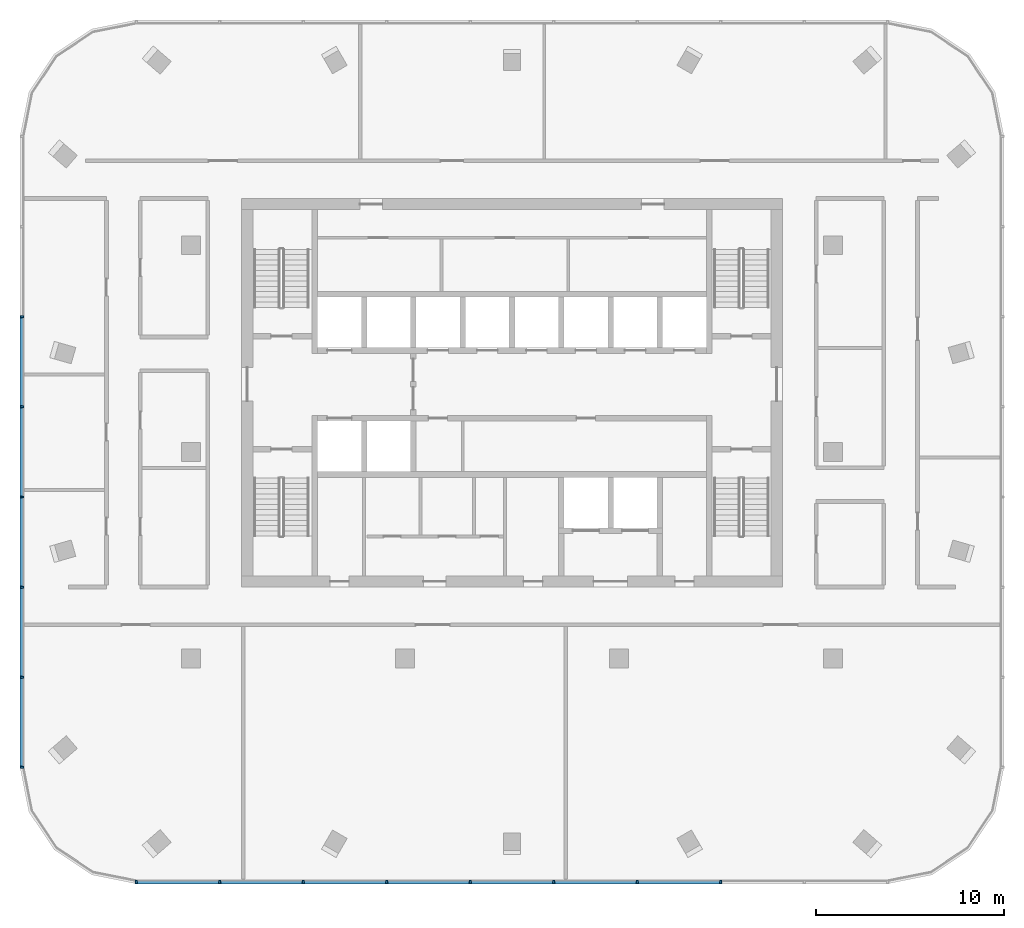
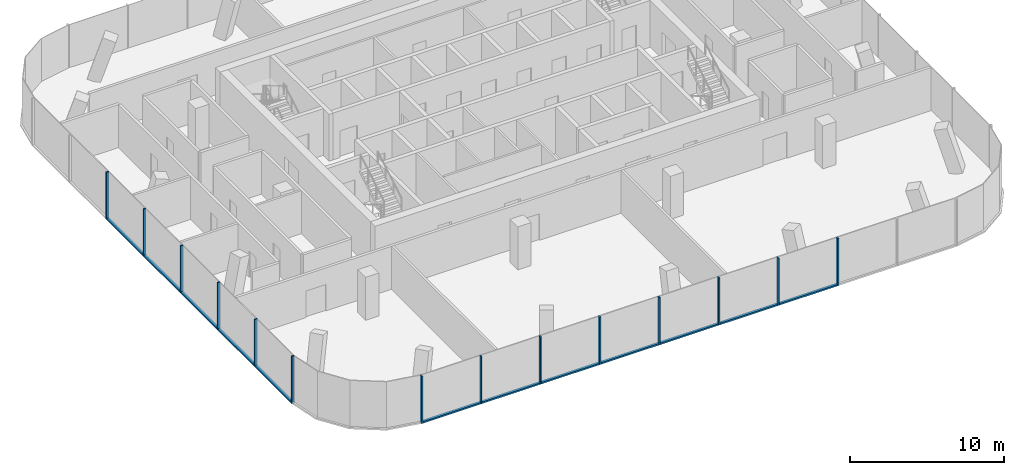
# One storey, part 2 of 11: 26 members, 2 elements without a shape of their own.
"""IFC4 building model written with IfcOpenShell, lengths in metres."""

from ifc_helpers import new_model, si_unit, direction, frame, origin, origin_2d, place, context, subcontext, project, spatial, rectangle, extrude, material, material_profile, profile_set, type_object, element, aggregate, save


model = new_model("IFC4")

# Units and contexts
model_context = context("Model", 3, precision=1e-05, world=origin(), true_north=direction((0.0, 1.0)))
body_context = subcontext(model_context, "Body", "Model", "MODEL_VIEW")
ifc_project = project(units=[si_unit("LENGTHUNIT", "METRE"), si_unit("AREAUNIT", "SQUARE_METRE"), si_unit("VOLUMEUNIT", "CUBIC_METRE"), si_unit("PLANEANGLEUNIT", "RADIAN"), si_unit("MASSUNIT", "GRAM", prefix="KILO")], contexts=[model_context])

# Site, building, storey
site_placement = place(None, origin())
site = spatial("IfcSite", under=ifc_project, at=site_placement, CompositionType="ELEMENT")
building_placement = place(site_placement, origin())
building = spatial("IfcBuilding", under=site, at=building_placement, Name="Mopane Tessera Tower", CompositionType="ELEMENT")
storey_placement = place(building_placement, frame((0.0, 0.0, 333.39990234375)))
storey = spatial("IfcBuildingStorey", under=building, at=storey_placement, Name="L73", CompositionType="ELEMENT", Elevation=333.39990234375)

# Curtain wall, members
ifc_material_1 = material(Name="Aluminium frame", Category="aluminium")
curtain_wall_type = type_object("IfcCurtainWallType", Name="Unitised curtain wall", PredefinedType="NOTDEFINED", material=ifc_material_1)
curtain_wall_1_placement = place(storey_placement, origin())
curtain_wall_1 = element("IfcCurtainWall", 1, at=curtain_wall_1_placement, inside=storey, type_object=curtain_wall_type, Name="e:cw:L73:S:0", PredefinedType="NOTDEFINED")
ifc_material_2 = material(Name="Aluminium frame", Category="aluminium")
ifc_material_profile_1 = material_profile(ifc_material_2, rectangle(XDim=0.10009765625, YDim=0.199951171875, at=origin_2d()))
ifc_profile_set_1 = profile_set([ifc_material_profile_1], Name="Aluminium frame")
member_type_1 = type_object("IfcMemberType", Name="Aluminium mullion 100 x 200", PredefinedType="MULLION", material=ifc_profile_set_1)
member_1_placement = place(storey_placement, frame((-20.0, -22.89990234375, -0.349853515625), z_axis=(0.0, 0.0, 1.0), x_axis=(1.0, 0.0, 0.0)))
member_1 = element("IfcMember", 2, at=member_1_placement, type_object=member_type_1, Name="e:cw:L73:S:0:mu0", PredefinedType="MULLION", context=body_context, shape_type="SweptSolid", body=[
    extrude(rectangle(XDim=0.10009765625, YDim=0.199951171875, at=origin_2d()), origin(), (0.0, 0.0, 1.0), 3.75),
])
member_2_placement = place(storey_placement, frame((-15.5556640625, -22.89990234375, -0.349853515625), z_axis=(0.0, 0.0, 1.0), x_axis=(1.0, 0.0, 0.0)))
member_2 = element("IfcMember", 3, at=member_2_placement, type_object=member_type_1, Name="e:cw:L73:S:0:mu1", PredefinedType="MULLION", context=body_context, shape_type="SweptSolid", body=[
    extrude(rectangle(XDim=0.10009765625, YDim=0.199951171875, at=origin_2d()), origin(), (0.0, 0.0, 1.0), 3.75),
])
member_3_placement = place(storey_placement, frame((-11.111083984375, -22.89990234375, -0.349853515625), z_axis=(0.0, 0.0, 1.0), x_axis=(1.0, 0.0, 0.0)))
member_3 = element("IfcMember", 4, at=member_3_placement, type_object=member_type_1, Name="e:cw:L73:S:0:mu2", PredefinedType="MULLION", context=body_context, shape_type="SweptSolid", body=[
    extrude(rectangle(XDim=0.10009765625, YDim=0.199951171875, at=origin_2d()), origin(), (0.0, 0.0, 1.0), 3.75),
])
member_4_placement = place(storey_placement, frame((-6.666748046875, -22.89990234375, -0.349853515625), z_axis=(0.0, 0.0, 1.0), x_axis=(1.0, 0.0, 0.0)))
member_4 = element("IfcMember", 5, at=member_4_placement, type_object=member_type_1, Name="e:cw:L73:S:0:mu3", PredefinedType="MULLION", context=body_context, shape_type="SweptSolid", body=[
    extrude(rectangle(XDim=0.10009765625, YDim=0.199951171875, at=origin_2d()), origin(), (0.0, 0.0, 1.0), 3.75),
])
member_5_placement = place(storey_placement, frame((-2.22216796875, -22.89990234375, -0.349853515625), z_axis=(0.0, 0.0, 1.0), x_axis=(1.0, 0.0, 0.0)))
member_5 = element("IfcMember", 6, at=member_5_placement, type_object=member_type_1, Name="e:cw:L73:S:0:mu4", PredefinedType="MULLION", context=body_context, shape_type="SweptSolid", body=[
    extrude(rectangle(XDim=0.10009765625, YDim=0.199951171875, at=origin_2d()), origin(), (0.0, 0.0, 1.0), 3.75),
])
member_6_placement = place(storey_placement, frame((2.22216796875, -22.89990234375, -0.349853515625), z_axis=(0.0, 0.0, 1.0), x_axis=(1.0, 0.0, 0.0)))
member_6 = element("IfcMember", 7, at=member_6_placement, type_object=member_type_1, Name="e:cw:L73:S:0:mu5", PredefinedType="MULLION", context=body_context, shape_type="SweptSolid", body=[
    extrude(rectangle(XDim=0.10009765625, YDim=0.199951171875, at=origin_2d()), origin(), (0.0, 0.0, 1.0), 3.75),
])
member_7_placement = place(storey_placement, frame((6.666748046875, -22.89990234375, -0.349853515625), z_axis=(0.0, 0.0, 1.0), x_axis=(1.0, 0.0, 0.0)))
member_7 = element("IfcMember", 8, at=member_7_placement, type_object=member_type_1, Name="e:cw:L73:S:0:mu6", PredefinedType="MULLION", context=body_context, shape_type="SweptSolid", body=[
    extrude(rectangle(XDim=0.10009765625, YDim=0.199951171875, at=origin_2d()), origin(), (0.0, 0.0, 1.0), 3.75),
])
member_8_placement = place(storey_placement, frame((11.111083984375, -22.89990234375, -0.349853515625), z_axis=(0.0, 0.0, 1.0), x_axis=(1.0, 0.0, 0.0)))
member_8 = element("IfcMember", 9, at=member_8_placement, type_object=member_type_1, Name="e:cw:L73:S:0:mu7", PredefinedType="MULLION", context=body_context, shape_type="SweptSolid", body=[
    extrude(rectangle(XDim=0.10009765625, YDim=0.199951171875, at=origin_2d()), origin(), (0.0, 0.0, 1.0), 3.75),
])

curtain_wall_2_placement = place(storey_placement, origin())
curtain_wall_2 = element("IfcCurtainWall", 10, at=curtain_wall_2_placement, inside=storey, type_object=curtain_wall_type, Name="e:cw:L73:W:0", PredefinedType="NOTDEFINED")
member_9_placement = place(storey_placement, frame((-26.10009765625, 7.199951171875, -0.349853515625), z_axis=(0.0, 0.0, 1.0), x_axis=(0.0, -1.0, 0.0)))
member_9 = element("IfcMember", 11, at=member_9_placement, type_object=member_type_1, Name="e:cw:L73:W:0:mu2", PredefinedType="MULLION", context=body_context, shape_type="SweptSolid", body=[
    extrude(rectangle(XDim=0.10009765625, YDim=0.199951171875, at=origin_2d()), origin(), (0.0, 0.0, 1.0), 3.75),
])
member_10_placement = place(storey_placement, frame((-26.10009765625, 2.39990234375, -0.349853515625), z_axis=(0.0, 0.0, 1.0), x_axis=(0.0, -1.0, 0.0)))
member_10 = element("IfcMember", 12, at=member_10_placement, type_object=member_type_1, Name="e:cw:L73:W:0:mu3", PredefinedType="MULLION", context=body_context, shape_type="SweptSolid", body=[
    extrude(rectangle(XDim=0.10009765625, YDim=0.199951171875, at=origin_2d()), origin(), (0.0, 0.0, 1.0), 3.75),
])
member_11_placement = place(storey_placement, frame((-26.10009765625, -2.39990234375, -0.349853515625), z_axis=(0.0, 0.0, 1.0), x_axis=(0.0, -1.0, 0.0)))
member_11 = element("IfcMember", 13, at=member_11_placement, type_object=member_type_1, Name="e:cw:L73:W:0:mu4", PredefinedType="MULLION", context=body_context, shape_type="SweptSolid", body=[
    extrude(rectangle(XDim=0.10009765625, YDim=0.199951171875, at=origin_2d()), origin(), (0.0, 0.0, 1.0), 3.75),
])
member_12_placement = place(storey_placement, frame((-26.10009765625, -7.199951171875, -0.349853515625), z_axis=(0.0, 0.0, 1.0), x_axis=(0.0, -1.0, 0.0)))
member_12 = element("IfcMember", 14, at=member_12_placement, type_object=member_type_1, Name="e:cw:L73:W:0:mu5", PredefinedType="MULLION", context=body_context, shape_type="SweptSolid", body=[
    extrude(rectangle(XDim=0.10009765625, YDim=0.199951171875, at=origin_2d()), origin(), (0.0, 0.0, 1.0), 3.75),
])
member_13_placement = place(storey_placement, frame((-26.10009765625, -12.0, -0.349853515625), z_axis=(0.0, 0.0, 1.0), x_axis=(0.0, -1.0, 0.0)))
member_13 = element("IfcMember", 15, at=member_13_placement, type_object=member_type_1, Name="e:cw:L73:W:0:mu6", PredefinedType="MULLION", context=body_context, shape_type="SweptSolid", body=[
    extrude(rectangle(XDim=0.10009765625, YDim=0.199951171875, at=origin_2d()), origin(), (0.0, 0.0, 1.0), 3.75),
])
member_14_placement = place(storey_placement, frame((-26.10009765625, -16.800048828125, -0.349853515625), z_axis=(0.0, 0.0, 1.0), x_axis=(0.0, -1.0, 0.0)))
member_14 = element("IfcMember", 16, at=member_14_placement, type_object=member_type_1, Name="e:cw:L73:W:0:mu7", PredefinedType="MULLION", context=body_context, shape_type="SweptSolid", body=[
    extrude(rectangle(XDim=0.10009765625, YDim=0.199951171875, at=origin_2d()), origin(), (0.0, 0.0, 1.0), 3.75),
])

# Member
ifc_material_3 = material(Name="Aluminium frame", Category="aluminium")
ifc_material_profile_2 = material_profile(ifc_material_3, rectangle(XDim=0.199951171875, YDim=0.1201171875, at=origin_2d()))
ifc_profile_set_2 = profile_set([ifc_material_profile_2], Name="Aluminium frame")
member_type_2 = type_object("IfcMemberType", Name="Aluminium transom 200 x 120", PredefinedType="USERDEFINED", material=ifc_profile_set_2)
member_15_placement = place(storey_placement, frame((-19.949951171875, -22.89990234375, -0.289794921875), z_axis=(1.0, 0.0, 0.0), x_axis=(0.0, 1.0, 0.0)))
member_15 = element("IfcMember", 17, at=member_15_placement, type_object=member_type_2, Name="e:cw:L73:S:0:tr0", ObjectType="TRANSOM", PredefinedType="USERDEFINED", context=body_context, shape_type="SweptSolid", body=[
    extrude(rectangle(XDim=0.199951171875, YDim=0.1201171875, at=origin_2d()), origin(), (0.0, 0.0, 1.0), 4.344482421875),
])

member_16_placement = place(storey_placement, frame((-15.505615234375, -22.89990234375, -0.289794921875), z_axis=(1.0, 0.0, 0.0), x_axis=(0.0, 1.0, 0.0)))
member_16 = element("IfcMember", 18, at=member_16_placement, type_object=member_type_2, Name="e:cw:L73:S:0:tr1", ObjectType="TRANSOM", PredefinedType="USERDEFINED", context=body_context, shape_type="SweptSolid", body=[
    extrude(rectangle(XDim=0.199951171875, YDim=0.1201171875, at=origin_2d()), origin(), (0.0, 0.0, 1.0), 4.344482421875),
])

member_17_placement = place(storey_placement, frame((-11.06103515625, -22.89990234375, -0.289794921875), z_axis=(1.0, 0.0, 0.0), x_axis=(0.0, 1.0, 0.0)))
member_17 = element("IfcMember", 19, at=member_17_placement, type_object=member_type_2, Name="e:cw:L73:S:0:tr2", ObjectType="TRANSOM", PredefinedType="USERDEFINED", context=body_context, shape_type="SweptSolid", body=[
    extrude(rectangle(XDim=0.199951171875, YDim=0.1201171875, at=origin_2d()), origin(), (0.0, 0.0, 1.0), 4.344482421875),
])

member_18_placement = place(storey_placement, frame((-6.61669921875, -22.89990234375, -0.289794921875), z_axis=(1.0, 0.0, 0.0), x_axis=(0.0, 1.0, 0.0)))
member_18 = element("IfcMember", 20, at=member_18_placement, type_object=member_type_2, Name="e:cw:L73:S:0:tr3", ObjectType="TRANSOM", PredefinedType="USERDEFINED", context=body_context, shape_type="SweptSolid", body=[
    extrude(rectangle(XDim=0.199951171875, YDim=0.1201171875, at=origin_2d()), origin(), (0.0, 0.0, 1.0), 4.344482421875),
])

member_19_placement = place(storey_placement, frame((-2.172119140625, -22.89990234375, -0.289794921875), z_axis=(1.0, 0.0, 0.0), x_axis=(0.0, 1.0, 0.0)))
member_19 = element("IfcMember", 21, at=member_19_placement, type_object=member_type_2, Name="e:cw:L73:S:0:tr4", ObjectType="TRANSOM", PredefinedType="USERDEFINED", context=body_context, shape_type="SweptSolid", body=[
    extrude(rectangle(XDim=0.199951171875, YDim=0.1201171875, at=origin_2d()), origin(), (0.0, 0.0, 1.0), 4.34423828125),
])

member_20_placement = place(storey_placement, frame((2.272216796875, -22.89990234375, -0.289794921875), z_axis=(1.0, 0.0, 0.0), x_axis=(0.0, 1.0, 0.0)))
member_20 = element("IfcMember", 22, at=member_20_placement, type_object=member_type_2, Name="e:cw:L73:S:0:tr5", ObjectType="TRANSOM", PredefinedType="USERDEFINED", context=body_context, shape_type="SweptSolid", body=[
    extrude(rectangle(XDim=0.199951171875, YDim=0.1201171875, at=origin_2d()), origin(), (0.0, 0.0, 1.0), 4.344482421875),
])

member_21_placement = place(storey_placement, frame((6.716552734375, -22.89990234375, -0.289794921875), z_axis=(1.0, 0.0, 0.0), x_axis=(0.0, 1.0, 0.0)))
member_21 = element("IfcMember", 23, at=member_21_placement, type_object=member_type_2, Name="e:cw:L73:S:0:tr6", ObjectType="TRANSOM", PredefinedType="USERDEFINED", context=body_context, shape_type="SweptSolid", body=[
    extrude(rectangle(XDim=0.199951171875, YDim=0.1201171875, at=origin_2d()), origin(), (0.0, 0.0, 1.0), 4.344482421875),
])

aggregate(curtain_wall_1, [member_1, member_2, member_3, member_4, member_5, member_6, member_7, member_8, member_15, member_16, member_17, member_18, member_19, member_20, member_21])

member_22_placement = place(storey_placement, frame((-26.10009765625, 7.14990234375, -0.289794921875), z_axis=(0.0, -1.0, 0.0), x_axis=(1.0, 0.0, 0.0)))
member_22 = element("IfcMember", 24, at=member_22_placement, type_object=member_type_2, Name="e:cw:L73:W:0:tr2", ObjectType="TRANSOM", PredefinedType="USERDEFINED", context=body_context, shape_type="SweptSolid", body=[
    extrude(rectangle(XDim=0.199951171875, YDim=0.1201171875, at=origin_2d()), origin(), (0.0, 0.0, 1.0), 4.699951171875),
])

member_23_placement = place(storey_placement, frame((-26.10009765625, 2.35009765625, -0.289794921875), z_axis=(0.0, -1.0, 0.0), x_axis=(1.0, 0.0, 0.0)))
member_23 = element("IfcMember", 25, at=member_23_placement, type_object=member_type_2, Name="e:cw:L73:W:0:tr3", ObjectType="TRANSOM", PredefinedType="USERDEFINED", context=body_context, shape_type="SweptSolid", body=[
    extrude(rectangle(XDim=0.199951171875, YDim=0.1201171875, at=origin_2d()), origin(), (0.0, 0.0, 1.0), 4.7001953125),
])

member_24_placement = place(storey_placement, frame((-26.10009765625, -2.449951171875, -0.289794921875), z_axis=(0.0, -1.0, 0.0), x_axis=(1.0, 0.0, 0.0)))
member_24 = element("IfcMember", 26, at=member_24_placement, type_object=member_type_2, Name="e:cw:L73:W:0:tr4", ObjectType="TRANSOM", PredefinedType="USERDEFINED", context=body_context, shape_type="SweptSolid", body=[
    extrude(rectangle(XDim=0.199951171875, YDim=0.1201171875, at=origin_2d()), origin(), (0.0, 0.0, 1.0), 4.699951171875),
])

member_25_placement = place(storey_placement, frame((-26.10009765625, -7.25, -0.289794921875), z_axis=(0.0, -1.0, 0.0), x_axis=(1.0, 0.0, 0.0)))
member_25 = element("IfcMember", 27, at=member_25_placement, type_object=member_type_2, Name="e:cw:L73:W:0:tr5", ObjectType="TRANSOM", PredefinedType="USERDEFINED", context=body_context, shape_type="SweptSolid", body=[
    extrude(rectangle(XDim=0.199951171875, YDim=0.1201171875, at=origin_2d()), origin(), (0.0, 0.0, 1.0), 4.699951171875),
])

member_26_placement = place(storey_placement, frame((-26.10009765625, -12.050048828125, -0.289794921875), z_axis=(0.0, -1.0, 0.0), x_axis=(1.0, 0.0, 0.0)))
member_26 = element("IfcMember", 28, at=member_26_placement, type_object=member_type_2, Name="e:cw:L73:W:0:tr6", ObjectType="TRANSOM", PredefinedType="USERDEFINED", context=body_context, shape_type="SweptSolid", body=[
    extrude(rectangle(XDim=0.199951171875, YDim=0.1201171875, at=origin_2d()), origin(), (0.0, 0.0, 1.0), 4.699951171875),
])

aggregate(curtain_wall_2, [member_9, member_10, member_11, member_12, member_13, member_14, member_22, member_23, member_24, member_25, member_26])

save(model, "model.ifc")
